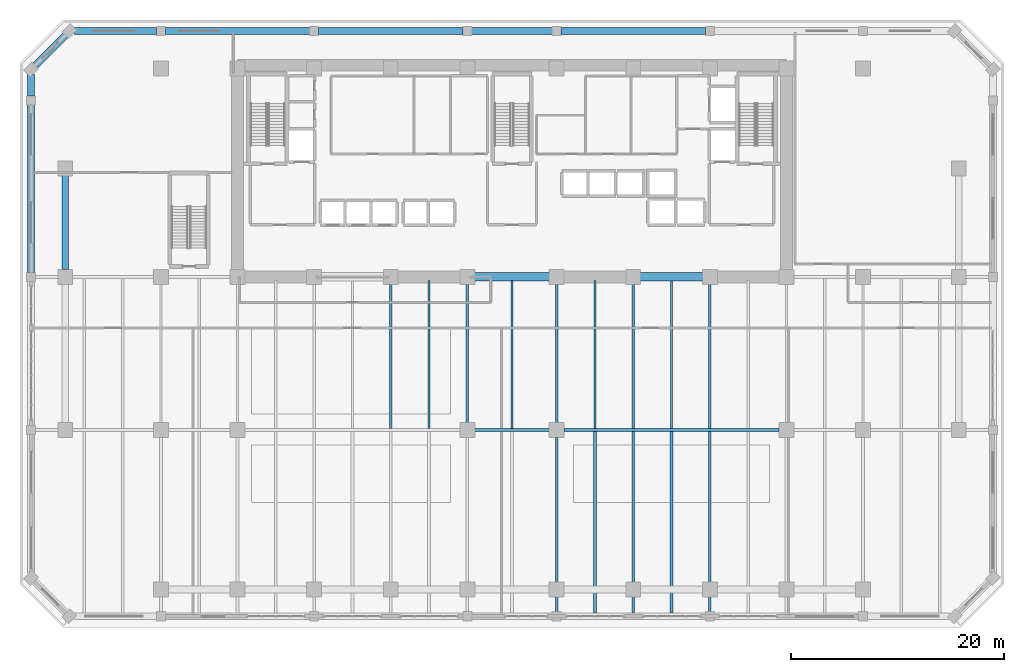
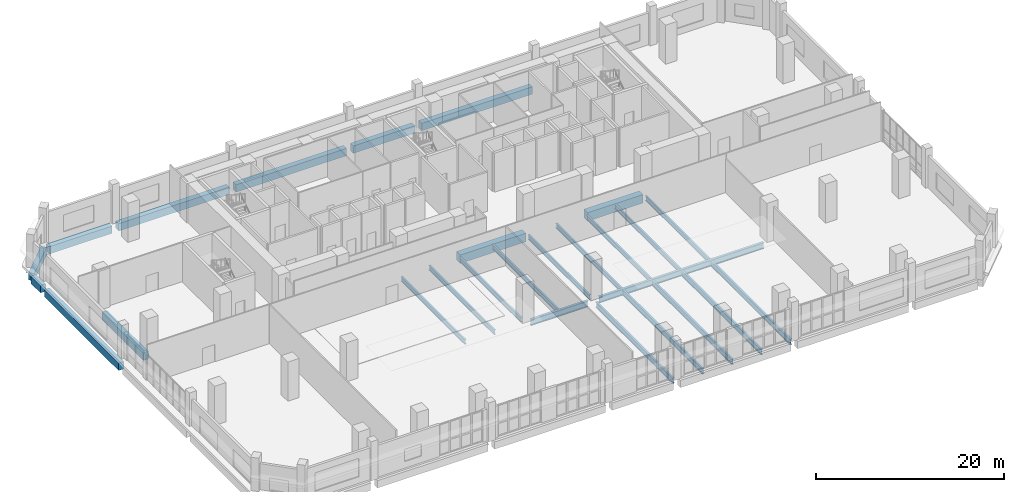
# One storey, part 12 of 25: 27 beams.
"""IFC4 building model written with IfcOpenShell, lengths in metres."""

import ifcopenshell
import ifcopenshell.guid

model = None  # the IFC model being written
_history = None  # IfcOwnerHistory: only IFC2X3 demands one
_inside = {}  # id of a spatial element -> (the spatial element, [elements in it])
_under = {}  # id of a project, library or spatial element -> (it, [spatial elements below it])
_declared = {}  # id of a project -> (the project, [libraries it declares])
_typed = {}  # id of a type object -> (the type object, [elements of that type])
_made_of = {}  # id of a material, layer set ... -> (it, [elements and type objects made of it])


def new_model(schema):
    """Start an empty IFC model of exactly this schema.

    Asked for "IFC4X3", IfcOpenShell would pick the latest addendum, in which some entities
    have other attributes; the version numbers below select the first issue.
    IFC2X3 requires an IfcOwnerHistory on every rooted entity: one is made here for all.
    """
    global model, _history
    if schema == "IFC4X3":
        model = ifcopenshell.file(schema_version=(4, 3, 0, 0))
    else:
        model = ifcopenshell.file(schema=schema)
    _inside.clear()
    _under.clear()
    _declared.clear()
    _typed.clear()
    _made_of.clear()
    _history = None
    if model.schema == "IFC2X3":
        org = make("IfcOrganization", Name="unknown")
        user = make(
            "IfcPersonAndOrganization",
            ThePerson=make("IfcPerson", FamilyName="unknown"),
            TheOrganization=org,
        )
        app = make(
            "IfcApplication",
            ApplicationDeveloper=org,
            Version="unknown",
            ApplicationFullName="unknown",
            ApplicationIdentifier="unknown",
        )
        _history = make(
            "IfcOwnerHistory",
            OwningUser=user,
            OwningApplication=app,
            ChangeAction="ADDED",
            CreationDate=0,
        )
    return model


def make(cls, **values):
    """One entity of the class cls with the attributes given. An attribute that is None is left unset."""
    return model.create_entity(
        cls, **{name: value for name, value in values.items() if value is not None}
    )


def rooted(cls, **values):
    """An entity with a GlobalId (a new one), such as an element, a storey or a relation."""
    return make(cls, GlobalId=ifcopenshell.guid.new(), OwnerHistory=_history, **values)


def si_unit(unit_type, name, prefix=None):
    """IfcSIUnit, for example si_unit("LENGTHUNIT", "METRE", prefix="MILLI")."""
    return make("IfcSIUnit", UnitType=unit_type, Prefix=prefix, Name=name)


def assignment(units):
    """IfcUnitAssignment: the units of a project."""
    return None if units is None else make("IfcUnitAssignment", Units=units)


def point(xyz):
    """IfcCartesianPoint."""
    return None if xyz is None else make("IfcCartesianPoint", Coordinates=xyz)


def direction(xyz):
    """IfcDirection."""
    return None if xyz is None else make("IfcDirection", DirectionRatios=xyz)


def frame(location, z_axis=None, x_axis=None):
    """IfcAxis2Placement3D, a coordinate frame: its origin and axes. An axis left out is left unset."""
    return make(
        "IfcAxis2Placement3D",
        Location=point(location),
        Axis=direction(z_axis),
        RefDirection=direction(x_axis),
    )


def frame_2d(location, x_axis=None):
    """IfcAxis2Placement2D, a coordinate frame in the plane: its origin and x axis."""
    return make(
        "IfcAxis2Placement2D", Location=point(location), RefDirection=direction(x_axis)
    )


def origin():
    """The frame at (0, 0, 0) with its axes left unset."""
    return frame((0.0, 0.0, 0.0))


def origin_2d():
    """The frame at (0, 0) in the plane with its x axis left unset."""
    return frame_2d((0.0, 0.0))


def place(relative_to, where):
    """IfcLocalPlacement: puts the frame where relative to a parent placement (None: the world)."""
    return make(
        "IfcLocalPlacement", PlacementRelTo=relative_to, RelativePlacement=where
    )


def context(
    kind, dimensions, precision=None, world=None, true_north=None, identifier=None
):
    """IfcGeometricRepresentationContext, for example the 3D "Model" context."""
    return make(
        "IfcGeometricRepresentationContext",
        ContextIdentifier=identifier,
        ContextType=kind,
        CoordinateSpaceDimension=dimensions,
        Precision=precision,
        WorldCoordinateSystem=world,
        TrueNorth=true_north,
    )


def subcontext(parent, identifier, kind, view, scale=None):
    """IfcGeometricRepresentationSubContext, for example "Body" below "Model"."""
    return make(
        "IfcGeometricRepresentationSubContext",
        ContextIdentifier=identifier,
        ContextType=kind,
        ParentContext=parent,
        TargetScale=scale,
        TargetView=view,
    )


def project(units=None, contexts=None):
    """IfcProject with its units and contexts."""
    return rooted(
        "IfcProject",
        Name="project",
        RepresentationContexts=contexts,
        UnitsInContext=assignment(units),
    )


def spatial(cls, under=None, at=None, **own):
    """A site, building, storey or space (cls), placed at a placement, below another one or the project."""
    s = rooted(cls, ObjectPlacement=at, **own)
    if under is not None:
        _under.setdefault(under.id(), (under, []))[1].append(s)
    return s


def profile(cls, at=None, kind="AREA", **sizes):
    """A parametric profile (cls). Its sizes go by their IFC names, for example OverallWidth=200.0."""
    return make(cls, ProfileType=kind, Position=at, **sizes)


def rectangle(**sizes):
    """IfcRectangleProfileDef."""
    return profile("IfcRectangleProfileDef", **sizes)


def i_section(**sizes):
    """IfcIShapeProfileDef."""
    return profile("IfcIShapeProfileDef", **sizes)


def extrude(swept, where, along, depth):
    """IfcExtrudedAreaSolid: the profile swept, set in the frame where, extruded along a direction by depth."""
    return make(
        "IfcExtrudedAreaSolid",
        SweptArea=swept,
        Position=where,
        ExtrudedDirection=direction(along),
        Depth=depth,
    )


def shape(context_of_items, identifier, shape_type, items):
    """IfcShapeRepresentation: the items that make up one representation, for example the "Body"."""
    return make(
        "IfcShapeRepresentation",
        ContextOfItems=context_of_items,
        RepresentationIdentifier=identifier,
        RepresentationType=shape_type,
        Items=items,
    )


def material(Name=None, Category=None):
    """IfcMaterial."""
    return make("IfcMaterial", Name=Name, Category=Category)


def material_profile(
    of_material, cross_section, Name=None, Category=None, Priority=None
):
    """IfcMaterialProfile: a cross section and its material."""
    return make(
        "IfcMaterialProfile",
        Name=Name,
        Material=of_material,
        Profile=cross_section,
        Priority=Priority,
        Category=Category,
    )


def profile_set(profiles, Name=None, composite=None):
    """IfcMaterialProfileSet."""
    return make(
        "IfcMaterialProfileSet",
        Name=Name,
        MaterialProfiles=profiles,
        CompositeProfile=composite,
    )


def made_of(thing, what):
    """Note that an element or type object is made of a material, layer set ...; save() writes the relation."""
    if what is not None:
        _made_of.setdefault(what.id(), (what, []))[1].append(thing)
    return thing


def type_object(cls, material=None, **own):
    """A type object (cls), such as IfcWallType, which elements share."""
    return made_of(rooted(cls, **own), material)


def element(
    cls,
    number,
    at=None,
    inside=None,
    cuts=None,
    type_object=None,
    material=None,
    context=None,
    identifier="Body",
    shape_type=None,
    held_by="IfcProductDefinitionShape",
    body=None,
    shapes=None,
    **own,
):
    """One element of the class cls, such as IfcWall. Its Tag is "e" and its number.

    at: its placement. inside: the storey or other place that contains it. cuts: it is an
    opening in that element (IfcRelVoidsElement). A single representation is given by context,
    identifier, shape_type and body (its items); several are given by shapes. held_by: the class
    of the entity that holds the representations. save() writes the other relations.
    """
    e = rooted(cls, Tag="e%d" % number, ObjectPlacement=at, **own)
    if body is not None:
        shapes = [shape(context, identifier, shape_type, body)]
    if shapes is not None:
        e.Representation = make(held_by, Representations=shapes)
    if inside is not None:
        _inside.setdefault(inside.id(), (inside, []))[1].append(e)
    if cuts is not None:
        rooted(
            "IfcRelVoidsElement", RelatingBuildingElement=cuts, RelatedOpeningElement=e
        )
    if type_object is not None:
        _typed.setdefault(type_object.id(), (type_object, []))[1].append(e)
    return made_of(e, material)


def aggregate(whole, parts):
    """IfcRelAggregates: a whole, such as a stair, and the parts it consists of."""
    return rooted("IfcRelAggregates", RelatingObject=whole, RelatedObjects=parts)


def save(model, path):
    """Write the relations noted so far, then the file.

    IfcRelAggregates (storeys below a building ...), IfcRelContainedInSpatialStructure (elements
    in a storey), IfcRelDefinesByType, IfcRelAssociatesMaterial and IfcRelDeclares: one each for
    every whole, place, type object, material and project.
    """
    for whole, parts in _under.values():
        aggregate(whole, parts)
    for where, things in _inside.values():
        rooted(
            "IfcRelContainedInSpatialStructure",
            RelatedElements=things,
            RelatingStructure=where,
        )
    for kind, things in _typed.values():
        rooted("IfcRelDefinesByType", RelatedObjects=things, RelatingType=kind)
    for what, things in _made_of.values():
        rooted("IfcRelAssociatesMaterial", RelatedObjects=things, RelatingMaterial=what)
    for by, libraries in _declared.values():
        rooted("IfcRelDeclares", RelatingContext=by, RelatedDefinitions=libraries)
    model.write(path)


model = new_model("IFC4")

# Units and contexts
model_context = context("Model", 3, precision=1e-05, world=origin(), true_north=direction((0.0, 1.0)))
body_context = subcontext(model_context, "Body", "Model", "MODEL_VIEW")
ifc_project = project(units=[si_unit("LENGTHUNIT", "METRE"), si_unit("AREAUNIT", "SQUARE_METRE"), si_unit("VOLUMEUNIT", "CUBIC_METRE"), si_unit("PLANEANGLEUNIT", "RADIAN"), si_unit("MASSUNIT", "GRAM", prefix="KILO")], contexts=[model_context])

# Site, building, storey
site_placement = place(None, origin())
site = spatial("IfcSite", under=ifc_project, at=site_placement, CompositionType="ELEMENT")
building_placement = place(site_placement, origin())
building = spatial("IfcBuilding", under=site, at=building_placement, Name="Kaelvorn Grand Hotel", CompositionType="ELEMENT")
storey_placement = place(building_placement, frame((0.0, 0.0, 14.0)))
storey = spatial("IfcBuildingStorey", under=building, at=storey_placement, Name="L02", CompositionType="ELEMENT", Elevation=14.0)

# Beams
ifc_material_1 = material(Name="Steel S355", Category="steel")
ifc_material_profile_1 = material_profile(ifc_material_1, i_section(OverallWidth=0.300048828125, OverallDepth=0.800048828125, WebThickness=0.017578125, FlangeThickness=0.032958984375, FilletRadius=0.030029296875, at=origin_2d()), Name="HEB 800")
ifc_profile_set_1 = profile_set([ifc_material_profile_1], Name="Steel S355")
beam_type_1 = type_object("IfcBeamType", Name="BM-G-HEB800-S355", PredefinedType="BEAM", material=ifc_profile_set_1)
beam_1_placement = place(storey_placement, frame((38.485107421875, 15.0, -0.719970703125), z_axis=(1.0, 0.0, 0.0), x_axis=(0.0, 1.0, 0.0)))
element("IfcBeam", 1, at=beam_1_placement, inside=storey, type_object=beam_type_1, Name="L02 Primary Spine Steel Girder G-15 05", PredefinedType="BEAM", context=body_context, shape_type="SweptSolid", body=[
    extrude(i_section(OverallWidth=0.300048828125, OverallDepth=0.800048828125, WebThickness=0.017578125, FlangeThickness=0.032958984375, FilletRadius=0.030029296875, at=origin_2d()), origin(), (0.0, 0.0, 1.0), 7.02978515625),
])
beam_2_placement = place(storey_placement, frame((46.885009765625, 15.0, -0.719970703125), z_axis=(1.0, 0.0, 0.0), x_axis=(0.0, 1.0, 0.0)))
element("IfcBeam", 2, at=beam_2_placement, inside=storey, type_object=beam_type_1, Name="L02 Primary Spine Steel Girder G-15 06", PredefinedType="BEAM", context=body_context, shape_type="SweptSolid", body=[
    extrude(i_section(OverallWidth=0.300048828125, OverallDepth=0.800048828125, WebThickness=0.017578125, FlangeThickness=0.032958984375, FilletRadius=0.030029296875, at=origin_2d()), origin(), (0.0, 0.0, 1.0), 20.22998046875),
])
ifc_material_profile_2 = material_profile(ifc_material_1, i_section(OverallWidth=0.219970703125, OverallDepth=0.60009765625, WebThickness=0.011962890625, FlangeThickness=0.01904296875, FilletRadius=0.02392578125, at=origin_2d()), Name="IPE 600")
ifc_profile_set_2 = profile_set([ifc_material_profile_2], Name="Steel S355")
beam_type_2 = type_object("IfcBeamType", Name="BM-J-IPE600-S355", PredefinedType="JOIST", material=ifc_profile_set_2)
beam_3_placement = place(storey_placement, frame((30.60009765625, 15.135009765625, -0.6201171875), z_axis=(0.0, 1.0, 0.0), x_axis=(-1.0, 0.0, 0.0)))
element("IfcBeam", 3, at=beam_3_placement, inside=storey, type_object=beam_type_2, Name="L02 Composite Floor Joist JM-09", PredefinedType="JOIST", context=body_context, shape_type="SweptSolid", body=[
    extrude(i_section(OverallWidth=0.219970703125, OverallDepth=0.60009765625, WebThickness=0.011962890625, FlangeThickness=0.01904296875, FilletRadius=0.02392578125, at=origin_2d()), origin(), (0.0, 0.0, 1.0), 13.580078125),
])
beam_4_placement = place(storey_placement, frame((34.199951171875, 15.135009765625, -0.6201171875), z_axis=(0.0, 1.0, 0.0), x_axis=(-1.0, 0.0, 0.0)))
element("IfcBeam", 4, at=beam_4_placement, inside=storey, type_object=beam_type_2, Name="L02 Composite Floor Joist JM-10", PredefinedType="JOIST", context=body_context, shape_type="SweptSolid", body=[
    extrude(i_section(OverallWidth=0.219970703125, OverallDepth=0.60009765625, WebThickness=0.011962890625, FlangeThickness=0.01904296875, FilletRadius=0.02392578125, at=origin_2d()), origin(), (0.0, 0.0, 1.0), 13.925048828125),
])
beam_5_placement = place(storey_placement, frame((37.800048828125, 15.68505859375, -0.6201171875), z_axis=(0.0, 1.0, 0.0), x_axis=(-1.0, 0.0, 0.0)))
element("IfcBeam", 5, at=beam_5_placement, inside=storey, type_object=beam_type_2, Name="L02 Composite Floor Joist JM-11", PredefinedType="JOIST", context=body_context, shape_type="SweptSolid", body=[
    extrude(i_section(OverallWidth=0.219970703125, OverallDepth=0.60009765625, WebThickness=0.011962890625, FlangeThickness=0.01904296875, FilletRadius=0.02392578125, at=origin_2d()), origin(), (0.0, 0.0, 1.0), 13.030029296875),
])
beam_6_placement = place(storey_placement, frame((42.0, 15.135009765625, -0.6201171875), z_axis=(0.0, 1.0, 0.0), x_axis=(-1.0, 0.0, 0.0)))
element("IfcBeam", 6, at=beam_6_placement, inside=storey, type_object=beam_type_2, Name="L02 Composite Floor Joist JM-12", PredefinedType="JOIST", context=body_context, shape_type="SweptSolid", body=[
    extrude(i_section(OverallWidth=0.219970703125, OverallDepth=0.60009765625, WebThickness=0.011962890625, FlangeThickness=0.01904296875, FilletRadius=0.02392578125, at=origin_2d()), origin(), (0.0, 0.0, 1.0), 13.925048828125),
])
beam_7_placement = place(storey_placement, frame((46.199951171875, 15.68505859375, -0.6201171875), z_axis=(0.0, 1.0, 0.0), x_axis=(-1.0, 0.0, 0.0)))
element("IfcBeam", 7, at=beam_7_placement, inside=storey, type_object=beam_type_2, Name="L02 Composite Floor Joist JM-13", PredefinedType="JOIST", context=body_context, shape_type="SweptSolid", body=[
    extrude(i_section(OverallWidth=0.219970703125, OverallDepth=0.60009765625, WebThickness=0.011962890625, FlangeThickness=0.01904296875, FilletRadius=0.02392578125, at=origin_2d()), origin(), (0.0, 0.0, 1.0), 13.030029296875),
])
beam_8_placement = place(storey_placement, frame((49.800048828125, 15.135009765625, -0.6201171875), z_axis=(0.0, 1.0, 0.0), x_axis=(-1.0, 0.0, 0.0)))
element("IfcBeam", 8, at=beam_8_placement, inside=storey, type_object=beam_type_2, Name="L02 Composite Floor Joist JM-14", PredefinedType="JOIST", context=body_context, shape_type="SweptSolid", body=[
    extrude(i_section(OverallWidth=0.219970703125, OverallDepth=0.60009765625, WebThickness=0.011962890625, FlangeThickness=0.01904296875, FilletRadius=0.02392578125, at=origin_2d()), origin(), (0.0, 0.0, 1.0), 13.925048828125),
])
beam_9_placement = place(storey_placement, frame((53.39990234375, 15.135009765625, -0.6201171875), z_axis=(0.0, 1.0, 0.0), x_axis=(-1.0, 0.0, 0.0)))
element("IfcBeam", 9, at=beam_9_placement, inside=storey, type_object=beam_type_2, Name="L02 Composite Floor Joist JM-15", PredefinedType="JOIST", context=body_context, shape_type="SweptSolid", body=[
    extrude(i_section(OverallWidth=0.219970703125, OverallDepth=0.60009765625, WebThickness=0.011962890625, FlangeThickness=0.01904296875, FilletRadius=0.02392578125, at=origin_2d()), origin(), (0.0, 0.0, 1.0), 13.580078125),
])
beam_10_placement = place(storey_placement, frame((57.0, 15.135009765625, -0.6201171875), z_axis=(0.0, 1.0, 0.0), x_axis=(-1.0, 0.0, 0.0)))
element("IfcBeam", 10, at=beam_10_placement, inside=storey, type_object=beam_type_2, Name="L02 Composite Floor Joist JM-16", PredefinedType="JOIST", context=body_context, shape_type="SweptSolid", body=[
    extrude(i_section(OverallWidth=0.219970703125, OverallDepth=0.60009765625, WebThickness=0.011962890625, FlangeThickness=0.01904296875, FilletRadius=0.02392578125, at=origin_2d()), origin(), (0.0, 0.0, 1.0), 13.925048828125),
])
beam_11_placement = place(storey_placement, frame((60.60009765625, 15.135009765625, -0.6201171875), z_axis=(0.0, 1.0, 0.0), x_axis=(-1.0, 0.0, 0.0)))
element("IfcBeam", 11, at=beam_11_placement, inside=storey, type_object=beam_type_2, Name="L02 Composite Floor Joist JM-17", PredefinedType="JOIST", context=body_context, shape_type="SweptSolid", body=[
    extrude(i_section(OverallWidth=0.219970703125, OverallDepth=0.60009765625, WebThickness=0.011962890625, FlangeThickness=0.01904296875, FilletRadius=0.02392578125, at=origin_2d()), origin(), (0.0, 0.0, 1.0), 13.580078125),
])
ifc_material_profile_3 = material_profile(ifc_material_1, i_section(OverallWidth=0.25439453125, OverallDepth=0.6875, WebThickness=0.01318359375, FlangeThickness=0.02099609375, FilletRadius=0.01513671875, at=origin_2d()), Name="UB 686x254x152")
ifc_profile_set_3 = profile_set([ifc_material_profile_3], Name="Steel S355")
beam_type_3 = type_object("IfcBeamType", Name="BM-J-UB686-S355", PredefinedType="JOIST", material=ifc_profile_set_3)
beam_12_placement = place(storey_placement, frame((46.199951171875, -2.090087890625, -0.663818359375), z_axis=(0.0, 1.0, 0.0), x_axis=(-1.0, 0.0, 0.0)))
element("IfcBeam", 12, at=beam_12_placement, inside=storey, type_object=beam_type_3, Name="L02 Composite Floor Joist JS-13", PredefinedType="JOIST", context=body_context, shape_type="SweptSolid", body=[
    extrude(i_section(OverallWidth=0.25439453125, OverallDepth=0.6875, WebThickness=0.01318359375, FlangeThickness=0.02099609375, FilletRadius=0.01513671875, at=origin_2d()), origin(), (0.0, 0.0, 1.0), 16.405029296875),
])
for number, where, z_axis, x_axis, name in (
    (13, (49.800048828125, -2.18994140625, -0.663818359375), (0.0, 1.0, 0.0), (-1.0, 0.0, 0.0), "L02 Composite Floor Joist JS-14"),
    (14, (53.39990234375, -2.18994140625, -0.663818359375), (0.0, 1.0, 0.0), (-1.0, 0.0, 0.0), "L02 Composite Floor Joist JS-15"),
    (15, (57.0, -2.18994140625, -0.663818359375), (0.0, 1.0, 0.0), (-1.0, 0.0, 0.0), "L02 Composite Floor Joist JS-16"),
):
    element("IfcBeam", number, at=place(storey_placement, frame(where, z_axis=z_axis, x_axis=x_axis)), inside=storey, type_object=beam_type_3, Name=name, PredefinedType="JOIST", context=body_context, shape_type="SweptSolid", body=[
        extrude(i_section(OverallWidth=0.25439453125, OverallDepth=0.6875, WebThickness=0.01318359375, FlangeThickness=0.02099609375, FilletRadius=0.01513671875, at=origin_2d()), origin(), (0.0, 0.0, 1.0), 17.054931640625),
    ])
beam_13_placement = place(storey_placement, frame((60.60009765625, -2.090087890625, -0.663818359375), z_axis=(0.0, 1.0, 0.0), x_axis=(-1.0, 0.0, 0.0)))
element("IfcBeam", 16, at=beam_13_placement, inside=storey, type_object=beam_type_3, Name="L02 Composite Floor Joist JS-17", PredefinedType="JOIST", context=body_context, shape_type="SweptSolid", body=[
    extrude(i_section(OverallWidth=0.25439453125, OverallDepth=0.6875, WebThickness=0.01318359375, FlangeThickness=0.02099609375, FilletRadius=0.01513671875, at=origin_2d()), origin(), (0.0, 0.0, 1.0), 16.955078125),
])
ifc_material_2 = material(Name="Concrete C60/75", Category="concrete")
ifc_material_profile_4 = material_profile(ifc_material_2, rectangle(XDim=0.800048828125, YDim=1.10009765625, at=origin_2d()), Name="RC LINTEL 800x1100")
ifc_profile_set_4 = profile_set([ifc_material_profile_4], Name="Concrete C60/75")
beam_type_4 = type_object("IfcBeamType", Name="BM-LIN-800x1100-C60", PredefinedType="LINTEL", material=ifc_profile_set_4)
beam_14_placement = place(storey_placement, frame((37.97998046875, 29.39990234375, -0.8701171875), z_axis=(1.0, 0.0, 0.0), x_axis=(0.0, 1.0, 0.0)))
element("IfcBeam", 17, at=beam_14_placement, inside=storey, type_object=beam_type_4, Name="L02 Rear-Core Coupling Lintel Beam CB1-02", PredefinedType="LINTEL", context=body_context, shape_type="SweptSolid", body=[
    extrude(rectangle(XDim=0.800048828125, YDim=1.10009765625, at=origin_2d()), origin(), (0.0, 0.0, 1.0), 8.0400390625),
])
beam_15_placement = place(storey_placement, frame((53.580078125, 29.39990234375, -0.8701171875), z_axis=(1.0, 0.0, 0.0), x_axis=(0.0, 1.0, 0.0)))
element("IfcBeam", 18, at=beam_15_placement, inside=storey, type_object=beam_type_4, Name="L02 Rear-Core Coupling Lintel Beam CB1-03", PredefinedType="LINTEL", context=body_context, shape_type="SweptSolid", body=[
    extrude(rectangle(XDim=0.800048828125, YDim=1.10009765625, at=origin_2d()), origin(), (0.0, 0.0, 1.0), 6.83984375),
])
ifc_material_profile_5 = material_profile(ifc_material_2, rectangle(XDim=0.64990234375, YDim=0.949951171875, at=origin_2d()), Name="RC SPANDREL 650x950")
ifc_profile_set_5 = profile_set([ifc_material_profile_5], Name="Concrete C60/75")
beam_type_5 = type_object("IfcBeamType", Name="BM-SP-650x950-C60", PredefinedType="SPANDREL", material=ifc_profile_set_5)
beam_16_placement = place(storey_placement, frame((0.885009765625, 52.5, -0.794921875), z_axis=(1.0, 0.0, 0.0), x_axis=(0.0, 1.0, 0.0)))
element("IfcBeam", 19, at=beam_16_placement, inside=storey, type_object=beam_type_5, Name="L02 North Perimeter Spandrel 01", PredefinedType="SPANDREL", context=body_context, shape_type="SweptSolid", body=[
    extrude(rectangle(XDim=0.64990234375, YDim=0.949951171875, at=origin_2d()), origin(), (0.0, 0.0, 1.0), 7.705078125),
])
beam_17_placement = place(storey_placement, frame((9.409912109375, 52.5, -0.794921875), z_axis=(1.0, 0.0, 0.0), x_axis=(0.0, 1.0, 0.0)))
element("IfcBeam", 20, at=beam_17_placement, inside=storey, type_object=beam_type_5, Name="L02 North Perimeter Spandrel 02", PredefinedType="SPANDREL", context=body_context, shape_type="SweptSolid", body=[
    extrude(rectangle(XDim=0.64990234375, YDim=0.949951171875, at=origin_2d()), origin(), (0.0, 0.0, 1.0), 13.580078125),
])
beam_18_placement = place(storey_placement, frame((23.81005859375, 52.5, -0.794921875), z_axis=(1.0, 0.0, 0.0), x_axis=(0.0, 1.0, 0.0)))
element("IfcBeam", 21, at=beam_18_placement, inside=storey, type_object=beam_type_5, Name="L02 North Perimeter Spandrel 03", PredefinedType="SPANDREL", context=body_context, shape_type="SweptSolid", body=[
    extrude(rectangle(XDim=0.64990234375, YDim=0.949951171875, at=origin_2d()), origin(), (0.0, 0.0, 1.0), 13.579833984375),
])
beam_19_placement = place(storey_placement, frame((38.2099609375, 52.5, -0.794921875), z_axis=(1.0, 0.0, 0.0), x_axis=(0.0, 1.0, 0.0)))
element("IfcBeam", 22, at=beam_19_placement, inside=storey, type_object=beam_type_5, Name="L02 North Perimeter Spandrel 04", PredefinedType="SPANDREL", context=body_context, shape_type="SweptSolid", body=[
    extrude(rectangle(XDim=0.64990234375, YDim=0.949951171875, at=origin_2d()), origin(), (0.0, 0.0, 1.0), 7.580078125),
])
beam_20_placement = place(storey_placement, frame((46.610107421875, 52.5, -0.794921875), z_axis=(1.0, 0.0, 0.0), x_axis=(0.0, 1.0, 0.0)))
element("IfcBeam", 23, at=beam_20_placement, inside=storey, type_object=beam_type_5, Name="L02 North Perimeter Spandrel 05", PredefinedType="SPANDREL", context=body_context, shape_type="SweptSolid", body=[
    extrude(rectangle(XDim=0.64990234375, YDim=0.949951171875, at=origin_2d()), origin(), (0.0, 0.0, 1.0), 13.579833984375),
])
beam_21_placement = place(storey_placement, frame((-3.199951171875, 29.81005859375, -0.794921875), z_axis=(0.0, 1.0, 0.0), x_axis=(-1.0, 0.0, 0.0)))
element("IfcBeam", 24, at=beam_21_placement, inside=storey, type_object=beam_type_5, Name="L02 West Perimeter Spandrel 03", PredefinedType="SPANDREL", context=body_context, shape_type="SweptSolid", body=[
    extrude(rectangle(XDim=0.64990234375, YDim=0.949951171875, at=origin_2d()), origin(), (0.0, 0.0, 1.0), 15.780029296875),
])
beam_22_placement = place(storey_placement, frame((-3.199951171875, 46.409912109375, -0.794921875), z_axis=(0.0, 1.0, 0.0), x_axis=(-1.0, 0.0, 0.0)))
element("IfcBeam", 25, at=beam_22_placement, inside=storey, type_object=beam_type_5, Name="L02 West Perimeter Spandrel 04", PredefinedType="SPANDREL", context=body_context, shape_type="SweptSolid", body=[
    extrude(rectangle(XDim=0.64990234375, YDim=0.949951171875, at=origin_2d()), origin(), (0.0, 0.0, 1.0), 2.005126953125),
])
beam_23_placement = place(storey_placement, frame((0.39990234375, 52.5, -0.794921875), z_axis=(-0.707082803744, -0.707130757816, 0.0), x_axis=(0.707130757816, -0.707082803744, 0.0)))
element("IfcBeam", 26, at=beam_23_placement, inside=storey, type_object=beam_type_5, Name="L02 Chamfer Spandrel Beam 3", PredefinedType="SPANDREL", context=body_context, shape_type="SweptSolid", body=[
    extrude(rectangle(XDim=0.64990234375, YDim=0.949951171875, at=origin_2d()), origin(), (0.0, 0.0, 1.0), 5.091064453125),
])
beam_24_placement = place(storey_placement, frame((0.0, 30.0849609375, -0.794921875), z_axis=(0.0, 1.0, 0.0), x_axis=(-1.0, 0.0, 0.0)))
element("IfcBeam", 27, at=beam_24_placement, inside=storey, type_object=beam_type_5, Name="L02 Tower Wing Girder TW 02", PredefinedType="SPANDREL", context=body_context, shape_type="SweptSolid", body=[
    extrude(rectangle(XDim=0.64990234375, YDim=0.949951171875, at=origin_2d()), origin(), (0.0, 0.0, 1.0), 8.830078125),
])

save(model, "model.ifc")
